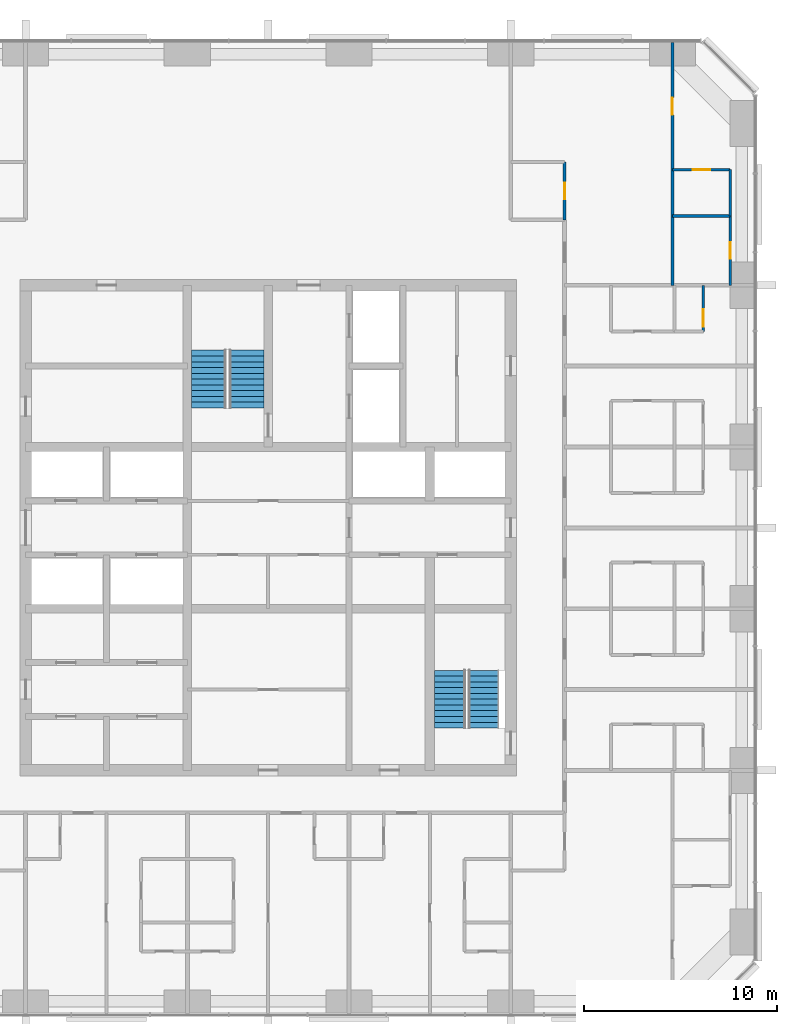
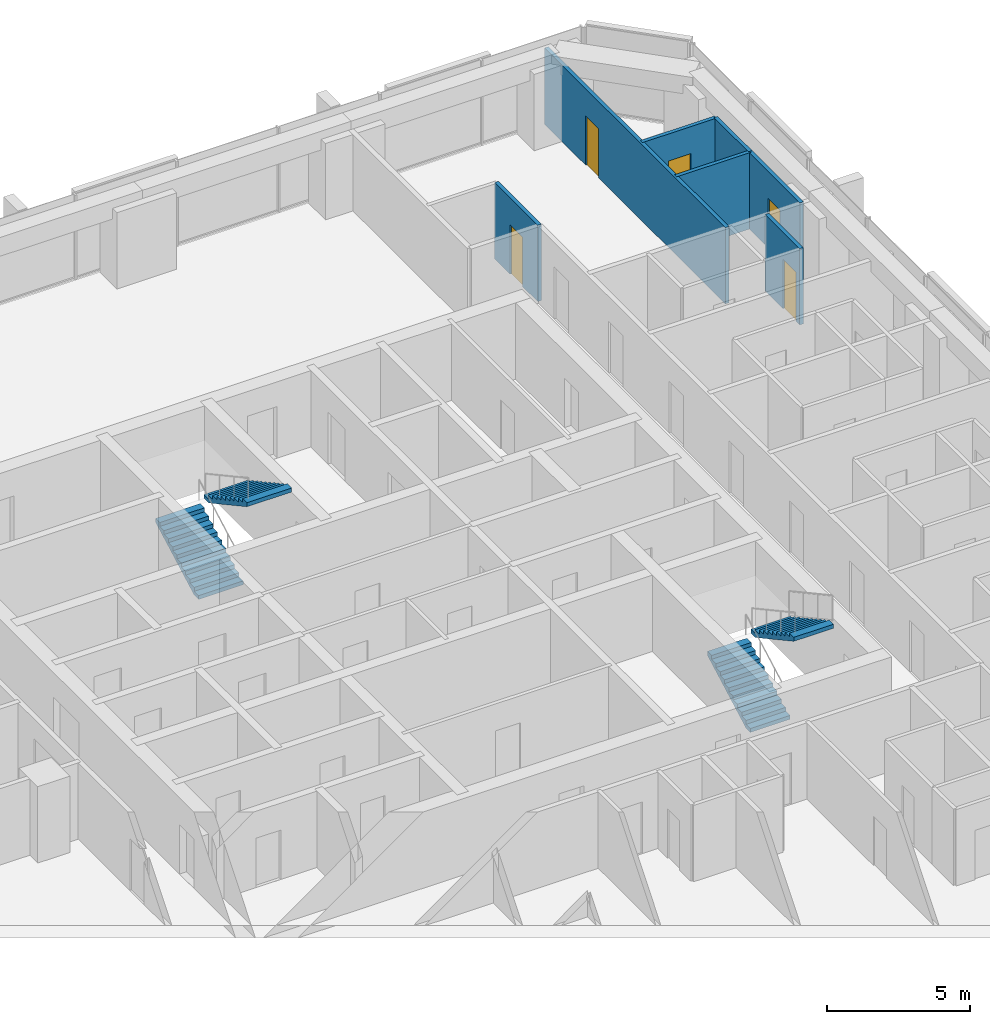
# One storey, part 13 of 14: 7 walls, 5 doors, 4 stair flights, 5 openings, 2 elements without a shape of their own.
"""IFC4 building model written with IfcOpenShell, lengths in metres."""

from ifc_helpers import new_model, si_unit, direction, frame, frame_2d, origin, place, context, subcontext, project, spatial, polyline, rectangle, outline, extrude, material, layer, layer_set, type_object, element, fill, aggregate, save


model = new_model("IFC4")

# Units and contexts
model_context = context("Model", 3, precision=1e-05, world=origin(), true_north=direction((0.0, 1.0)))
body_context = subcontext(model_context, "Body", "Model", "MODEL_VIEW")
ifc_project = project(units=[si_unit("LENGTHUNIT", "METRE"), si_unit("AREAUNIT", "SQUARE_METRE"), si_unit("VOLUMEUNIT", "CUBIC_METRE"), si_unit("PLANEANGLEUNIT", "RADIAN"), si_unit("MASSUNIT", "GRAM", prefix="KILO")], contexts=[model_context])

# Site, building, storey
site_placement = place(None, origin())
site = spatial("IfcSite", under=ifc_project, at=site_placement, CompositionType="ELEMENT")
building_placement = place(site_placement, origin())
building = spatial("IfcBuilding", under=site, at=building_placement, Name="Dunama Terrace Hotel", CompositionType="ELEMENT")
storey_placement = place(building_placement, frame((0.0, 0.0, 180.60009765625)))
storey = spatial("IfcBuildingStorey", under=building, at=storey_placement, Name="L46", CompositionType="ELEMENT", Elevation=180.60009765625)

# Wall, opening, door
ifc_material_1 = material(Name="Gypsum board partition", Category="masonry")
ifc_layer_1 = layer(ifc_material_1, 0.14990234375)
ifc_layer_set_1 = layer_set([ifc_layer_1], Name="Bathroom partition 150")
wall_type_1 = type_object("IfcWallType", Name="Bathroom partition 150", PredefinedType="PARTITIONING", material=ifc_layer_set_1)
wall_1_placement = place(storey_placement, frame((44.800048828125, 45.39990234375, 0.0), z_axis=(0.0, 0.0, 1.0), x_axis=(0.0, 1.0, 0.0)))
wall_1 = element("IfcWall", 1, at=wall_1_placement, inside=storey, type_object=wall_type_1, Name="Bathroom partition 150 L46", PredefinedType="PARTITIONING", context=body_context, shape_type="SweptSolid", body=[
    extrude(rectangle(XDim=3.0, YDim=0.14990234375, at=frame_2d((1.5, 0.0))), origin(), (0.0, 0.0, 1.0), 3.25),
])
opening_1_placement = place(wall_1_placement, frame((1.074951171875, 0.0, 0.0)))
opening_1 = element("IfcOpeningElement", 2, at=opening_1_placement, cuts=wall_1, Name="Opening L46-47-063", PredefinedType="OPENING", context=body_context, shape_type="SweptSolid", body=[
    extrude(rectangle(XDim=0.85009765625, YDim=2.10009765625, at=frame_2d((0.425048828125, 1.050048828125))), frame((0.0, 0.0849609375, 0.0), z_axis=(0.0, -1.0, 0.0), x_axis=(1.0, 0.0, 0.0)), (0.0, 0.0, 1.0), 0.169921875),
])
ifc_material_2 = material(Name="Timber door with steel frame", Category="steel")
door_type_1 = type_object("IfcDoorType", Name="Bathroom door 850", OperationType="SINGLE_SWING_LEFT", PredefinedType="DOOR", material=ifc_material_2)
door_1_placement = place(opening_1_placement, origin())
door_1 = element("IfcDoor", 3, at=door_1_placement, inside=storey, type_object=door_type_1, Name="Door to powder room L46-47-063, type D2", OperationType="SINGLE_SWING_LEFT", OverallHeight=2.10009765625, OverallWidth=0.85009765625, PredefinedType="DOOR", context=body_context, shape_type="SweptSolid", body=[
    extrude(rectangle(XDim=0.85009765625, YDim=2.10009765625, at=frame_2d((0.425048828125, 1.050048828125))), frame((0.0, 0.02490234375, 0.0), z_axis=(0.0, -1.0, 0.0), x_axis=(1.0, 0.0, 0.0)), (0.0, 0.0, 1.0), 0.050048828125),
])
fill(opening_1, door_1)

wall_2_placement = place(storey_placement, frame((53.39990234375, 42.0, 0.0), z_axis=(0.0, 0.0, 1.0), x_axis=(0.0, 1.0, 0.0)))
wall_2 = element("IfcWall", 4, at=wall_2_placement, inside=storey, type_object=wall_type_1, Name="Bathroom partition 150 L46", PredefinedType="PARTITIONING", context=body_context, shape_type="SweptSolid", body=[
    extrude(rectangle(XDim=3.60009765625, YDim=0.14990234375, at=frame_2d((1.800048828125, 0.0))), origin(), (0.0, 0.0, 1.0), 3.25),
])
opening_2_placement = place(wall_2_placement, frame((1.375, 0.0, 0.0)))
opening_2 = element("IfcOpeningElement", 5, at=opening_2_placement, cuts=wall_2, Name="Opening L46-47-065", PredefinedType="OPENING", context=body_context, shape_type="SweptSolid", body=[
    extrude(rectangle(XDim=0.85009765625, YDim=2.10009765625, at=frame_2d((0.425048828125, 1.050048828125))), frame((0.0, 0.0849609375, 0.0), z_axis=(0.0, -1.0, 0.0), x_axis=(1.0, 0.0, 0.0)), (0.0, 0.0, 1.0), 0.169921875),
])
door_2_placement = place(opening_2_placement, origin())
door_2 = element("IfcDoor", 6, at=door_2_placement, inside=storey, type_object=door_type_1, Name="Door to en-suite bathroom L46-47-065, type D2", OperationType="SINGLE_SWING_LEFT", OverallHeight=2.10009765625, OverallWidth=0.85009765625, PredefinedType="DOOR", context=body_context, shape_type="SweptSolid", body=[
    extrude(rectangle(XDim=0.85009765625, YDim=2.10009765625, at=frame_2d((0.425048828125, 1.050048828125))), frame((0.0, 0.02490234375, 0.0), z_axis=(0.0, -1.0, 0.0), x_axis=(1.0, 0.0, 0.0)), (0.0, 0.0, 1.0), 0.050048828125),
])
fill(opening_2, door_2)

ifc_material_3 = material(Name="Gypsum board partition", Category="masonry")
ifc_layer_2 = layer(ifc_material_3, 0.14990234375)
ifc_layer_set_2 = layer_set([ifc_layer_2], Name="Room partition 150")
wall_type_2 = type_object("IfcWallType", Name="Room partition 150", PredefinedType="PARTITIONING", material=ifc_layer_set_2)
wall_3_placement = place(storey_placement, frame((50.39990234375, 42.0, 0.0), z_axis=(0.0, 0.0, 1.0), x_axis=(0.0, 1.0, 0.0)))
wall_3 = element("IfcWall", 7, at=wall_3_placement, inside=storey, type_object=wall_type_2, Name="Room partition 150 L46", PredefinedType="PARTITIONING", context=body_context, shape_type="SweptSolid", body=[
    extrude(rectangle(XDim=12.617919921875, YDim=0.14990234375, at=frame_2d((6.30908203125, 0.0))), origin(), (0.0, 0.0, 1.0), 3.25),
])
opening_3_placement = place(wall_3_placement, frame((8.85009765625, 0.0, 0.0)))
opening_3 = element("IfcOpeningElement", 8, at=opening_3_placement, cuts=wall_3, Name="Opening L46-47-064", PredefinedType="OPENING", context=body_context, shape_type="SweptSolid", body=[
    extrude(rectangle(XDim=0.89990234375, YDim=2.10009765625, at=frame_2d((0.449951171875, 1.050048828125))), frame((0.0, 0.0849609375, 0.0), z_axis=(0.0, -1.0, 0.0), x_axis=(1.0, 0.0, 0.0)), (0.0, 0.0, 1.0), 0.169921875),
])
ifc_material_4 = material(Name="Timber door with steel frame", Category="steel")
door_type_2 = type_object("IfcDoorType", Name="Suite internal door 900", OperationType="SINGLE_SWING_LEFT", PredefinedType="DOOR", material=ifc_material_4)
door_3_placement = place(opening_3_placement, frame((0.89990234375, 0.0, 0.0), z_axis=(0.0, 0.0, 1.0), x_axis=(-1.0, 0.0, 0.0)))
door_3 = element("IfcDoor", 9, at=door_3_placement, inside=storey, type_object=door_type_2, Name="Door to corner suite bedroom L46-47-064, type D16", OperationType="SINGLE_SWING_LEFT", OverallHeight=2.10009765625, OverallWidth=0.89990234375, PredefinedType="DOOR", context=body_context, shape_type="SweptSolid", body=[
    extrude(rectangle(XDim=0.89990234375, YDim=2.10009765625, at=frame_2d((0.449951171875, 1.050048828125))), frame((0.0, 0.025146484375, 0.0), z_axis=(0.0, -1.0, 0.0), x_axis=(1.0, 0.0, 0.0)), (0.0, 0.0, 1.0), 0.050048828125),
])
fill(opening_3, door_3)

wall_4_placement = place(storey_placement, frame((52.0, 39.60009765625, 0.0), z_axis=(0.0, 0.0, 1.0), x_axis=(0.0, 1.0, 0.0)))
wall_4 = element("IfcWall", 10, at=wall_4_placement, inside=storey, type_object=wall_type_2, Name="Room partition 150 L46", PredefinedType="PARTITIONING", context=body_context, shape_type="SweptSolid", body=[
    extrude(rectangle(XDim=2.39990234375, YDim=0.14990234375, at=frame_2d((1.199951171875, 0.0))), origin(), (0.0, 0.0, 1.0), 3.25),
])
opening_4_placement = place(wall_4_placement, frame((0.25, 0.0, 0.0)))
opening_4 = element("IfcOpeningElement", 11, at=opening_4_placement, cuts=wall_4, Name="Opening L46-47-041", PredefinedType="OPENING", context=body_context, shape_type="SweptSolid", body=[
    extrude(rectangle(XDim=0.89990234375, YDim=2.10009765625, at=frame_2d((0.449951171875, 1.050048828125))), frame((0.0, 0.0849609375, 0.0), z_axis=(0.0, -1.0, 0.0), x_axis=(1.0, 0.0, 0.0)), (0.0, 0.0, 1.0), 0.169921875),
])
door_4_placement = place(opening_4_placement, origin())
door_4 = element("IfcDoor", 12, at=door_4_placement, inside=storey, type_object=door_type_2, Name="Door to walk-in wardrobe L46-47-041, type D16", OperationType="SINGLE_SWING_LEFT", OverallHeight=2.10009765625, OverallWidth=0.89990234375, PredefinedType="DOOR", context=body_context, shape_type="SweptSolid", body=[
    extrude(rectangle(XDim=0.89990234375, YDim=2.10009765625, at=frame_2d((0.449951171875, 1.050048828125))), frame((0.0, 0.02490234375, 0.0), z_axis=(0.0, -1.0, 0.0), x_axis=(1.0, 0.0, 0.0)), (0.0, 0.0, 1.0), 0.050048828125),
])
fill(opening_4, door_4)

# Walls
wall_5_placement = place(storey_placement, frame((53.39990234375, 45.60009765625, 0.0), z_axis=(0.0, 0.0, 1.0), x_axis=(0.0, 1.0, 0.0)))
element("IfcWall", 13, at=wall_5_placement, inside=storey, type_object=wall_type_2, Name="Room partition 150 L46", PredefinedType="PARTITIONING", context=body_context, shape_type="SweptSolid", body=[
    extrude(rectangle(XDim=2.39990234375, YDim=0.14990234375, at=frame_2d((1.199951171875, 0.0))), origin(), (0.0, 0.0, 1.0), 3.25),
])
wall_6_placement = place(storey_placement, frame((50.39990234375, 45.60009765625, 0.0), z_axis=(0.0, 0.0, 1.0), x_axis=(1.0, 0.0, 0.0)))
element("IfcWall", 14, at=wall_6_placement, inside=storey, type_object=wall_type_2, Name="Room partition 150 L46", PredefinedType="PARTITIONING", context=body_context, shape_type="SweptSolid", body=[
    extrude(rectangle(XDim=3.0, YDim=0.14990234375, at=frame_2d((1.5, 0.0))), origin(), (0.0, 0.0, 1.0), 3.25),
])

# Wall, opening, door
wall_7_placement = place(storey_placement, frame((50.39990234375, 48.0, 0.0), z_axis=(0.0, 0.0, 1.0), x_axis=(1.0, 0.0, 0.0)))
wall_7 = element("IfcWall", 15, at=wall_7_placement, inside=storey, type_object=wall_type_2, Name="Room partition 150 L46", PredefinedType="PARTITIONING", context=body_context, shape_type="SweptSolid", body=[
    extrude(rectangle(XDim=3.0, YDim=0.14990234375, at=frame_2d((1.5, 0.0))), origin(), (0.0, 0.0, 1.0), 3.25),
])
opening_5_placement = place(wall_7_placement, frame((1.050048828125, 0.0, 0.0)))
opening_5 = element("IfcOpeningElement", 16, at=opening_5_placement, cuts=wall_7, Name="Opening L46-47-066", PredefinedType="OPENING", context=body_context, shape_type="SweptSolid", body=[
    extrude(rectangle(XDim=0.89990234375, YDim=2.10009765625, at=frame_2d((0.449951171875, 1.050048828125))), frame((0.0, 0.0849609375, 0.0), z_axis=(0.0, -1.0, 0.0), x_axis=(1.0, 0.0, 0.0)), (0.0, 0.0, 1.0), 0.169921875),
])
door_5_placement = place(opening_5_placement, frame((0.89990234375, 0.0, 0.0), z_axis=(0.0, 0.0, 1.0), x_axis=(-1.0, 0.0, 0.0)))
door_5 = element("IfcDoor", 17, at=door_5_placement, inside=storey, type_object=door_type_2, Name="Door to dressing room L46-47-066, type D16", OperationType="SINGLE_SWING_RIGHT", OverallHeight=2.10009765625, OverallWidth=0.89990234375, PredefinedType="DOOR", context=body_context, shape_type="SweptSolid", body=[
    extrude(rectangle(XDim=0.89990234375, YDim=2.10009765625, at=frame_2d((0.449951171875, 1.050048828125))), frame((0.0, 0.025146484375, 0.0), z_axis=(0.0, -1.0, 0.0), x_axis=(1.0, 0.0, 0.0)), (0.0, 0.0, 1.0), 0.050048828125),
])
fill(opening_5, door_5)

# Stair, stair flights
ifc_material_5 = material(Name="Concrete C40/50", Category="concrete")
stair_type_1 = type_object("IfcStairType", Name="Stair ST1-3600-1800", PredefinedType="HALF_TURN_STAIR", material=ifc_material_5)
stair_1_placement = place(storey_placement, origin())
stair_1 = element("IfcStair", 18, at=stair_1_placement, inside=storey, type_object=stair_type_1, Name="Stair ST1 L46", PredefinedType="HALF_TURN_STAIR")
ifc_material_6 = material(Name="Concrete C40/50", Category="concrete")
stair_flight_type_1 = type_object("IfcStairFlightType", Name="Stair flight ST1-3600-1800", PredefinedType="STRAIGHT", material=ifc_material_6)
stair_flight_1_placement = place(storey_placement, frame((26.324951171875, 35.625, 0.0), z_axis=(0.0, 0.0, 1.0), x_axis=(0.0, 1.0, 0.0)))
stair_flight_1 = element("IfcStairFlight", 19, at=stair_flight_1_placement, type_object=stair_flight_type_1, Name="ST1 flight 1", NumberOfRisers=11, NumberOfTreads=10, PredefinedType="STRAIGHT", RiserHeight=0.163636364, TreadLength=0.3, context=body_context, shape_type="SweptSolid", body=[
    extrude(outline(polyline([(0.0, 0.0), (0.0, 0.16357421875), (0.300048828125, 0.16357421875), (0.300048828125, 0.327392578125), (0.60009765625, 0.327392578125), (0.60009765625, 0.490966796875), (0.89990234375, 0.490966796875), (0.89990234375, 0.654541015625), (1.199951171875, 0.654541015625), (1.199951171875, 0.818115234375), (1.5, 0.818115234375), (1.5, 0.98193359375), (1.800048828125, 0.98193359375), (1.800048828125, 1.1455078125), (2.10009765625, 1.1455078125), (2.10009765625, 1.30908203125), (2.39990234375, 1.30908203125), (2.39990234375, 1.47265625), (2.699951171875, 1.47265625), (2.699951171875, 1.636474609375), (3.0, 1.636474609375), (3.0, 1.800048828125), (3.0, 1.465576171875), (0.31298828125, 0.0), (0.0, 0.0)])), frame((0.0, 0.89990234375, 0.0), z_axis=(0.0, -1.0, 0.0), x_axis=(1.0, 0.0, 0.0)), (0.0, 0.0, 1.0), 1.800048828125),
])
stair_flight_2_placement = place(storey_placement, frame((28.27490234375, 38.625, 1.7998046875), z_axis=(0.0, 0.0, 1.0), x_axis=(0.0, -1.0, 0.0)))
stair_flight_2 = element("IfcStairFlight", 20, at=stair_flight_2_placement, type_object=stair_flight_type_1, Name="ST1 flight 2", NumberOfRisers=11, NumberOfTreads=10, PredefinedType="STRAIGHT", RiserHeight=0.163636364, TreadLength=0.3, context=body_context, shape_type="SweptSolid", body=[
    extrude(outline(polyline([(0.0, 0.0), (0.0, 0.16357421875), (0.300048828125, 0.16357421875), (0.300048828125, 0.327392578125), (0.60009765625, 0.327392578125), (0.60009765625, 0.490966796875), (0.89990234375, 0.490966796875), (0.89990234375, 0.654541015625), (1.199951171875, 0.654541015625), (1.199951171875, 0.818115234375), (1.5, 0.818115234375), (1.5, 0.98193359375), (1.800048828125, 0.98193359375), (1.800048828125, 1.1455078125), (2.10009765625, 1.1455078125), (2.10009765625, 1.30908203125), (2.39990234375, 1.30908203125), (2.39990234375, 1.47265625), (2.699951171875, 1.47265625), (2.699951171875, 1.636474609375), (3.0, 1.636474609375), (3.0, 1.800048828125), (3.0, 1.465576171875), (0.31298828125, 0.0), (0.0, 0.0)])), frame((0.0, 0.89990234375, 0.0), z_axis=(0.0, -1.0, 0.0), x_axis=(1.0, 0.0, 0.0)), (0.0, 0.0, 1.0), 1.800048828125),
])
aggregate(stair_1, [stair_flight_1, stair_flight_2])

ifc_material_7 = material(Name="Concrete C40/50", Category="concrete")
stair_type_2 = type_object("IfcStairType", Name="Stair ST2-3600-1600", PredefinedType="HALF_TURN_STAIR", material=ifc_material_7)
stair_2_placement = place(storey_placement, origin())
stair_2 = element("IfcStair", 21, at=stair_2_placement, inside=storey, type_object=stair_type_2, Name="Stair ST2 L46", PredefinedType="HALF_TURN_STAIR")
ifc_material_8 = material(Name="Concrete C40/50", Category="concrete")
stair_flight_type_2 = type_object("IfcStairFlightType", Name="Stair flight ST2-3600-1600", PredefinedType="STRAIGHT", material=ifc_material_8)
stair_flight_3_placement = place(storey_placement, frame((38.85009765625, 19.0, 0.0), z_axis=(0.0, 0.0, 1.0), x_axis=(0.0, 1.0, 0.0)))
stair_flight_3 = element("IfcStairFlight", 22, at=stair_flight_3_placement, type_object=stair_flight_type_2, Name="ST2 flight 1", NumberOfRisers=11, NumberOfTreads=10, PredefinedType="STRAIGHT", RiserHeight=0.163636364, TreadLength=0.3, context=body_context, shape_type="SweptSolid", body=[
    extrude(outline(polyline([(0.0, 0.0), (0.0, 0.16357421875), (0.300048828125, 0.16357421875), (0.300048828125, 0.327392578125), (0.60009765625, 0.327392578125), (0.60009765625, 0.490966796875), (0.89990234375, 0.490966796875), (0.89990234375, 0.654541015625), (1.199951171875, 0.654541015625), (1.199951171875, 0.818115234375), (1.5, 0.818115234375), (1.5, 0.98193359375), (1.800048828125, 0.98193359375), (1.800048828125, 1.1455078125), (2.10009765625, 1.1455078125), (2.10009765625, 1.30908203125), (2.39990234375, 1.30908203125), (2.39990234375, 1.47265625), (2.699951171875, 1.47265625), (2.699951171875, 1.636474609375), (3.0, 1.636474609375), (3.0, 1.800048828125), (3.0, 1.465576171875), (0.31298828125, 0.0), (0.0, 0.0)])), frame((0.0, 0.800048828125, 0.0), z_axis=(0.0, -1.0, 0.0), x_axis=(1.0, 0.0, 0.0)), (0.0, 0.0, 1.0), 1.60009765625),
])
stair_flight_4_placement = place(storey_placement, frame((40.60009765625, 22.0, 1.7998046875), z_axis=(0.0, 0.0, 1.0), x_axis=(0.0, -1.0, 0.0)))
stair_flight_4 = element("IfcStairFlight", 23, at=stair_flight_4_placement, type_object=stair_flight_type_2, Name="ST2 flight 2", NumberOfRisers=11, NumberOfTreads=10, PredefinedType="STRAIGHT", RiserHeight=0.163636364, TreadLength=0.3, context=body_context, shape_type="SweptSolid", body=[
    extrude(outline(polyline([(0.0, 0.0), (0.0, 0.16357421875), (0.300048828125, 0.16357421875), (0.300048828125, 0.327392578125), (0.60009765625, 0.327392578125), (0.60009765625, 0.490966796875), (0.89990234375, 0.490966796875), (0.89990234375, 0.654541015625), (1.199951171875, 0.654541015625), (1.199951171875, 0.818115234375), (1.5, 0.818115234375), (1.5, 0.98193359375), (1.800048828125, 0.98193359375), (1.800048828125, 1.1455078125), (2.10009765625, 1.1455078125), (2.10009765625, 1.30908203125), (2.39990234375, 1.30908203125), (2.39990234375, 1.47265625), (2.699951171875, 1.47265625), (2.699951171875, 1.636474609375), (3.0, 1.636474609375), (3.0, 1.800048828125), (3.0, 1.465576171875), (0.31298828125, 0.0), (0.0, 0.0)])), frame((0.0, 0.800048828125, 0.0), z_axis=(0.0, -1.0, 0.0), x_axis=(1.0, 0.0, 0.0)), (0.0, 0.0, 1.0), 1.60009765625),
])
aggregate(stair_2, [stair_flight_3, stair_flight_4])

save(model, "model.ifc")
